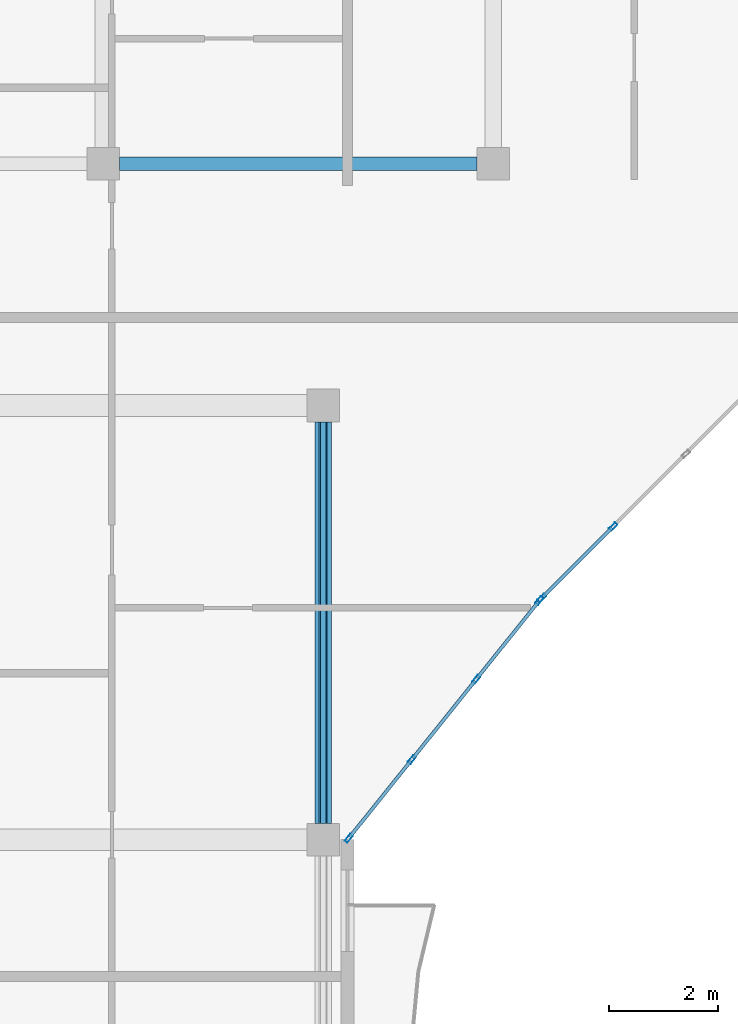
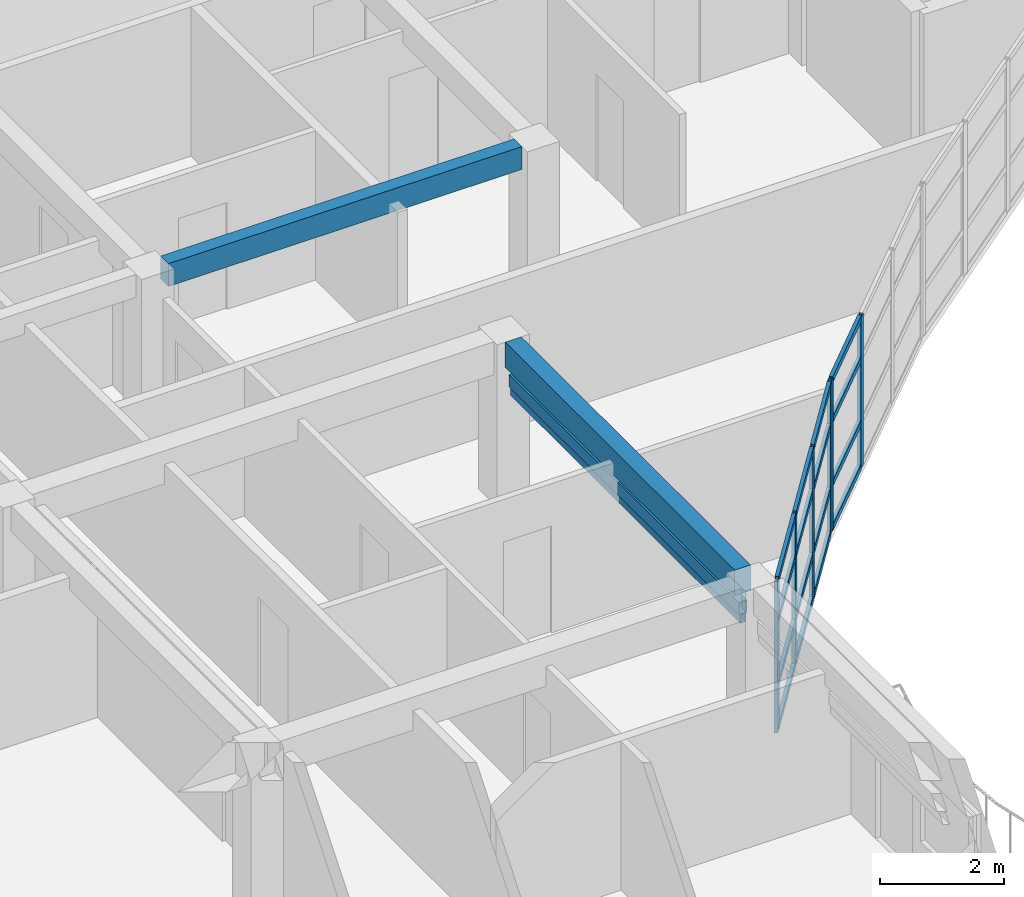
# One storey, part 15 of 72: 24 members, 2 beams, 2 elements without a shape of their own.
"""IFC4 building model written with IfcOpenShell, lengths in metres."""

from ifc_helpers import new_model, si_unit, direction, frame, origin, origin_2d, place, context, subcontext, project, spatial, rectangle, hollow_rectangle, extrude, material, layer, layer_set, material_profile, profile_set, type_object, element, aggregate, save


model = new_model("IFC4")

# Units and contexts
model_context = context("Model", 3, precision=1e-05, world=origin(), true_north=direction((0.0, 1.0)))
body_context = subcontext(model_context, "Body", "Model", "MODEL_VIEW")
ifc_project = project(units=[si_unit("LENGTHUNIT", "METRE"), si_unit("AREAUNIT", "SQUARE_METRE"), si_unit("VOLUMEUNIT", "CUBIC_METRE"), si_unit("PLANEANGLEUNIT", "RADIAN"), si_unit("MASSUNIT", "GRAM", prefix="KILO")], contexts=[model_context])

# Site, building, storey
site_placement = place(None, origin())
site = spatial("IfcSite", under=ifc_project, at=site_placement, CompositionType="ELEMENT")
building_placement = place(site_placement, origin())
building = spatial("IfcBuilding", under=site, at=building_placement, Name="Keldmere Railside Commons", CompositionType="ELEMENT")
storey_placement = place(building_placement, frame((0.0, 0.0, 16.9599609375)))
storey = spatial("IfcBuildingStorey", under=building, at=storey_placement, Name="L05", CompositionType="ELEMENT", Elevation=16.9599609375)

# Member
ifc_material_1 = material(Name="Steel F-36 (S355)", Category="steel")
ifc_material_profile_1 = material_profile(ifc_material_1, hollow_rectangle(XDim=0.14990234375, YDim=0.25, WallThickness=0.010009765625, at=origin_2d()), Name="RHS-250x150x10")
ifc_profile_set_1 = profile_set([ifc_material_profile_1], Name="Steel F-36 (S355)")
member_type_1 = type_object("IfcMemberType", Name="Balcony Continuous Planted Trough RHS250x150", PredefinedType="CHORD", material=ifc_profile_set_1)
member_1_placement = place(storey_placement, frame((119.550048828125, 88.300048828125, 2.4150390625), z_axis=(0.0, 1.0, 0.0), x_axis=(-1.0, 0.0, 0.0)))
element("IfcMember", 1, at=member_1_placement, inside=storey, type_object=member_type_1, Name="PLT-1 MEM-BPLT-0647", PredefinedType="CHORD", context=body_context, shape_type="SweptSolid", body=[
    extrude(hollow_rectangle(XDim=0.14990234375, YDim=0.25, WallThickness=0.010009765625, at=origin_2d()), origin(), (0.0, 0.0, 1.0), 7.39990234375),
])

# Beams
ifc_material_2 = material(Name="Architectural Precast Concrete H-35 (C35/45)", Category="concrete")
ifc_material_profile_2 = material_profile(ifc_material_2, rectangle(XDim=0.25, YDim=0.449951171875, at=origin_2d()), Name="RC-250x450")
ifc_profile_set_2 = profile_set([ifc_material_profile_2], Name="Architectural Precast Concrete H-35 (C35/45)")
beam_type_1 = type_object("IfcBeamType", Name="Perimeter Precast Spandrel Beam 250x450", PredefinedType="SPANDREL", material=ifc_profile_set_2)
beam_1_placement = place(storey_placement, frame((115.800048828125, 100.449951171875, 2.97509765625), z_axis=(1.0, 0.0, 0.0), x_axis=(0.0, 1.0, 0.0)))
element("IfcBeam", 2, at=beam_1_placement, inside=storey, type_object=beam_type_1, Name="SPB-1 BM-L05-1735", PredefinedType="SPANDREL", context=body_context, shape_type="SweptSolid", body=[
    extrude(rectangle(XDim=0.25, YDim=0.449951171875, at=origin_2d()), origin(), (0.0, 0.0, 1.0), 6.5830078125),
])
ifc_material_3 = material(Name="Concrete H-30 (C30/37)", Category="concrete")
ifc_material_profile_3 = material_profile(ifc_material_3, rectangle(XDim=0.300048828125, YDim=0.5, at=origin_2d()), Name="RC-300x500")
ifc_profile_set_3 = profile_set([ifc_material_profile_3], Name="Concrete H-30 (C30/37)")
beam_type_2 = type_object("IfcBeamType", Name="Secondary Frame RC Beam 300x500", PredefinedType="BEAM", material=ifc_profile_set_3)
beam_2_placement = place(storey_placement, frame((119.550048828125, 88.300048828125, 2.949951171875), z_axis=(0.0, 1.0, 0.0), x_axis=(-1.0, 0.0, 0.0)))
element("IfcBeam", 3, at=beam_2_placement, inside=storey, type_object=beam_type_2, Name="BG-5 BM-L05-1833", PredefinedType="BEAM", context=body_context, shape_type="SweptSolid", body=[
    extrude(rectangle(XDim=0.300048828125, YDim=0.5, at=origin_2d()), origin(), (0.0, 0.0, 1.0), 7.39990234375),
])

# Member
ifc_material_profile_4 = material_profile(ifc_material_1, hollow_rectangle(XDim=0.10009765625, YDim=0.159912109375, WallThickness=0.008056640625, at=origin_2d()), Name="RHS-160x100x8")
ifc_profile_set_4 = profile_set([ifc_material_profile_4], Name="Steel F-36 (S355)")
member_type_2 = type_object("IfcMemberType", Name="Solar Brise-Soleil Louvre Fin RHS160x100", PredefinedType="STRUT", material=ifc_profile_set_4)
member_2_placement = place(storey_placement, frame((119.550048828125, 88.300048828125, 2.199951171875), z_axis=(0.0, 1.0, 0.0), x_axis=(-1.0, 0.0, 0.0)))
element("IfcMember", 4, at=member_2_placement, inside=storey, type_object=member_type_2, Name="BSF-1 MEM-BSF-0648", PredefinedType="STRUT", context=body_context, shape_type="SweptSolid", body=[
    extrude(hollow_rectangle(XDim=0.10009765625, YDim=0.159912109375, WallThickness=0.008056640625, at=origin_2d()), origin(), (0.0, 0.0, 1.0), 7.39990234375),
])

# Curtain wall, members
ifc_material_4 = material(Name="Thermally Broken Aluminium", Category="aluminium")
ifc_layer_1 = layer(ifc_material_4, 0.159912109375, Name="Court Chord Wintergarden CW 4800x2850")
ifc_layer_set_1 = layer_set([ifc_layer_1], Name="Thermally Broken Aluminium")
curtain_wall_type_1 = type_object("IfcCurtainWallType", Name="Court Chord Wintergarden CW 4800x2850", PredefinedType="NOTDEFINED", material=ifc_layer_set_1)
curtain_wall_1_placement = place(storey_placement, origin())
curtain_wall_1 = element("IfcCurtainWall", 5, at=curtain_wall_1_placement, inside=storey, type_object=curtain_wall_type_1, Name="CW-12 CW-L05-115", PredefinedType="NOTDEFINED")
ifc_material_profile_5 = material_profile(ifc_material_4, hollow_rectangle(XDim=0.06494140625, YDim=0.159912109375, WallThickness=0.00390625, at=origin_2d()), Name="ALU-MULL-65x160")
ifc_profile_set_5 = profile_set([ifc_material_profile_5], Name="Thermally Broken Aluminium")
member_type_3 = type_object("IfcMemberType", Name="Unitised Curtain Wall Mullion 65x160", PredefinedType="MULLION", material=ifc_profile_set_5)
member_3_placement = place(storey_placement, frame((123.53369140625, 92.404541015625, 0.0), z_axis=(0.0, 0.0, 1.0), x_axis=(0.780009172323, -0.625768080915, 0.0)))
member_3 = element("IfcMember", 6, at=member_3_placement, type_object=member_type_3, Name="CW-12 mullion 1", PredefinedType="MULLION", context=body_context, shape_type="SweptSolid", body=[
    extrude(hollow_rectangle(XDim=0.06494140625, YDim=0.159912109375, WallThickness=0.00390625, at=origin_2d()), origin(), (0.0, 0.0, 1.0), 2.97998046875),
])
member_4_placement = place(storey_placement, frame((122.369384765625, 90.953369140625, 0.0), z_axis=(0.0, 0.0, 1.0), x_axis=(0.780009172323, -0.625768080915, 0.0)))
member_4 = element("IfcMember", 7, at=member_4_placement, type_object=member_type_3, Name="CW-12 mullion 2", PredefinedType="MULLION", context=body_context, shape_type="SweptSolid", body=[
    extrude(hollow_rectangle(XDim=0.06494140625, YDim=0.159912109375, WallThickness=0.00390625, at=origin_2d()), origin(), (0.0, 0.0, 1.0), 2.97998046875),
])
member_5_placement = place(storey_placement, frame((121.1845703125, 89.4765625, 0.0), z_axis=(0.0, 0.0, 1.0), x_axis=(0.780009172323, -0.625768080915, 0.0)))
member_5 = element("IfcMember", 8, at=member_5_placement, type_object=member_type_3, Name="CW-12 mullion 3", PredefinedType="MULLION", context=body_context, shape_type="SweptSolid", body=[
    extrude(hollow_rectangle(XDim=0.06494140625, YDim=0.159912109375, WallThickness=0.00390625, at=origin_2d()), origin(), (0.0, 0.0, 1.0), 2.97998046875),
])
member_6_placement = place(storey_placement, frame((120.020263671875, 88.025390625, 0.0), z_axis=(0.0, 0.0, 1.0), x_axis=(0.780009172323, -0.625768080915, 0.0)))
member_6 = element("IfcMember", 9, at=member_6_placement, type_object=member_type_3, Name="CW-12 mullion 4", PredefinedType="MULLION", context=body_context, shape_type="SweptSolid", body=[
    extrude(hollow_rectangle(XDim=0.06494140625, YDim=0.159912109375, WallThickness=0.00390625, at=origin_2d()), origin(), (0.0, 0.0, 1.0), 2.97998046875),
])

ifc_layer_2 = layer(ifc_material_4, 0.159912109375, Name="Court Chord Wintergarden CW 5400x2850")
ifc_layer_set_2 = layer_set([ifc_layer_2], Name="Thermally Broken Aluminium")
curtain_wall_type_2 = type_object("IfcCurtainWallType", Name="Court Chord Wintergarden CW 5400x2850", PredefinedType="NOTDEFINED", material=ifc_layer_set_2)
curtain_wall_2_placement = place(storey_placement, origin())
curtain_wall_2 = element("IfcCurtainWall", 10, at=curtain_wall_2_placement, inside=storey, type_object=curtain_wall_type_2, Name="CW-13 CW-L05-116", PredefinedType="NOTDEFINED")
member_7_placement = place(storey_placement, frame((124.892578125, 93.7685546875, 0.0), z_axis=(0.0, 0.0, 1.0), x_axis=(0.707106781187, -0.707106781187, 0.0)))
member_7 = element("IfcMember", 11, at=member_7_placement, type_object=member_type_3, Name="CW-13 mullion 3", PredefinedType="MULLION", context=body_context, shape_type="SweptSolid", body=[
    extrude(hollow_rectangle(XDim=0.06494140625, YDim=0.159912109375, WallThickness=0.00390625, at=origin_2d()), origin(), (0.0, 0.0, 1.0), 2.97998046875),
])
member_8_placement = place(storey_placement, frame((123.576904296875, 92.452880859375, 0.0), z_axis=(0.0, 0.0, 1.0), x_axis=(0.707106781187, -0.707106781187, 0.0)))
member_8 = element("IfcMember", 12, at=member_8_placement, type_object=member_type_3, Name="CW-13 mullion 4", PredefinedType="MULLION", context=body_context, shape_type="SweptSolid", body=[
    extrude(hollow_rectangle(XDim=0.06494140625, YDim=0.159912109375, WallThickness=0.00390625, at=origin_2d()), origin(), (0.0, 0.0, 1.0), 2.97998046875),
])

# Member
ifc_material_profile_6 = material_profile(ifc_material_4, hollow_rectangle(XDim=0.06494140625, YDim=0.1201171875, WallThickness=0.00390625, at=origin_2d()), Name="ALU-TRAN-65x120")
ifc_profile_set_6 = profile_set([ifc_material_profile_6], Name="Thermally Broken Aluminium")
member_type_4 = type_object("IfcMemberType", Name="Unitised Curtain Wall Transom 65x120", PredefinedType="USERDEFINED", material=ifc_profile_set_6)
member_9_placement = place(storey_placement, frame((123.513427734375, 92.37939453125, 0.032470703125), z_axis=(-0.625805275091, -0.779979331565, 0.0), x_axis=(0.779979331565, -0.625805275091, 0.0)))
member_9 = element("IfcMember", 13, at=member_9_placement, type_object=member_type_4, Name="CW-12 transom 1.1", ObjectType="TRANSOM", PredefinedType="USERDEFINED", context=body_context, shape_type="SweptSolid", body=[
    extrude(hollow_rectangle(XDim=0.06494140625, YDim=0.1201171875, WallThickness=0.00390625, at=origin_2d()), origin(), (0.0, 0.0, 1.0), 1.795654296875),
])

member_10_placement = place(storey_placement, frame((123.513427734375, 92.37939453125, 0.900146484375), z_axis=(-0.625805275091, -0.779979331565, 0.0), x_axis=(0.779979331565, -0.625805275091, 0.0)))
member_10 = element("IfcMember", 14, at=member_10_placement, type_object=member_type_4, Name="CW-12 transom 1.2", ObjectType="TRANSOM", PredefinedType="USERDEFINED", context=body_context, shape_type="SweptSolid", body=[
    extrude(hollow_rectangle(XDim=0.06494140625, YDim=0.1201171875, WallThickness=0.00390625, at=origin_2d()), origin(), (0.0, 0.0, 1.0), 1.795654296875),
])

member_11_placement = place(storey_placement, frame((123.513427734375, 92.37939453125, 2.150146484375), z_axis=(-0.625805275091, -0.779979331565, 0.0), x_axis=(0.779979331565, -0.625805275091, 0.0)))
member_11 = element("IfcMember", 15, at=member_11_placement, type_object=member_type_4, Name="CW-12 transom 1.3", ObjectType="TRANSOM", PredefinedType="USERDEFINED", context=body_context, shape_type="SweptSolid", body=[
    extrude(hollow_rectangle(XDim=0.06494140625, YDim=0.1201171875, WallThickness=0.00390625, at=origin_2d()), origin(), (0.0, 0.0, 1.0), 1.795654296875),
])

member_12_placement = place(storey_placement, frame((123.513427734375, 92.37939453125, 2.947509765625), z_axis=(-0.625805275091, -0.779979331565, 0.0), x_axis=(0.779979331565, -0.625805275091, 0.0)))
member_12 = element("IfcMember", 16, at=member_12_placement, type_object=member_type_4, Name="CW-12 transom 1.4", ObjectType="TRANSOM", PredefinedType="USERDEFINED", context=body_context, shape_type="SweptSolid", body=[
    extrude(hollow_rectangle(XDim=0.06494140625, YDim=0.1201171875, WallThickness=0.00390625, at=origin_2d()), origin(), (0.0, 0.0, 1.0), 1.795654296875),
])

member_13_placement = place(storey_placement, frame((122.348876953125, 90.927978515625, 0.032470703125), z_axis=(-0.625688033635, -0.78007338409, 0.0), x_axis=(0.78007338409, -0.625688033635, 0.0)))
member_13 = element("IfcMember", 17, at=member_13_placement, type_object=member_type_4, Name="CW-12 transom 2.1", ObjectType="TRANSOM", PredefinedType="USERDEFINED", context=body_context, shape_type="SweptSolid", body=[
    extrude(hollow_rectangle(XDim=0.06494140625, YDim=0.1201171875, WallThickness=0.00390625, at=origin_2d()), origin(), (0.0, 0.0, 1.0), 1.828125),
])

member_14_placement = place(storey_placement, frame((122.348876953125, 90.927978515625, 0.900146484375), z_axis=(-0.625688033635, -0.78007338409, 0.0), x_axis=(0.78007338409, -0.625688033635, 0.0)))
member_14 = element("IfcMember", 18, at=member_14_placement, type_object=member_type_4, Name="CW-12 transom 2.2", ObjectType="TRANSOM", PredefinedType="USERDEFINED", context=body_context, shape_type="SweptSolid", body=[
    extrude(hollow_rectangle(XDim=0.06494140625, YDim=0.1201171875, WallThickness=0.00390625, at=origin_2d()), origin(), (0.0, 0.0, 1.0), 1.828125),
])

member_15_placement = place(storey_placement, frame((122.348876953125, 90.927978515625, 2.150146484375), z_axis=(-0.625688033635, -0.78007338409, 0.0), x_axis=(0.78007338409, -0.625688033635, 0.0)))
member_15 = element("IfcMember", 19, at=member_15_placement, type_object=member_type_4, Name="CW-12 transom 2.3", ObjectType="TRANSOM", PredefinedType="USERDEFINED", context=body_context, shape_type="SweptSolid", body=[
    extrude(hollow_rectangle(XDim=0.06494140625, YDim=0.1201171875, WallThickness=0.00390625, at=origin_2d()), origin(), (0.0, 0.0, 1.0), 1.828125),
])

member_16_placement = place(storey_placement, frame((122.348876953125, 90.927978515625, 2.947509765625), z_axis=(-0.625688033635, -0.78007338409, 0.0), x_axis=(0.78007338409, -0.625688033635, 0.0)))
member_16 = element("IfcMember", 20, at=member_16_placement, type_object=member_type_4, Name="CW-12 transom 2.4", ObjectType="TRANSOM", PredefinedType="USERDEFINED", context=body_context, shape_type="SweptSolid", body=[
    extrude(hollow_rectangle(XDim=0.06494140625, YDim=0.1201171875, WallThickness=0.00390625, at=origin_2d()), origin(), (0.0, 0.0, 1.0), 1.828125),
])

member_17_placement = place(storey_placement, frame((121.164306640625, 89.451416015625, 0.032470703125), z_axis=(-0.625722553313, -0.780045694992, 0.0), x_axis=(0.780045694992, -0.625722553313, 0.0)))
member_17 = element("IfcMember", 21, at=member_17_placement, type_object=member_type_4, Name="CW-12 transom 3.1", ObjectType="TRANSOM", PredefinedType="USERDEFINED", context=body_context, shape_type="SweptSolid", body=[
    extrude(hollow_rectangle(XDim=0.06494140625, YDim=0.1201171875, WallThickness=0.00390625, at=origin_2d()), origin(), (0.0, 0.0, 1.0), 1.795654296875),
])

member_18_placement = place(storey_placement, frame((121.164306640625, 89.451416015625, 0.900146484375), z_axis=(-0.625722553313, -0.780045694992, 0.0), x_axis=(0.780045694992, -0.625722553313, 0.0)))
member_18 = element("IfcMember", 22, at=member_18_placement, type_object=member_type_4, Name="CW-12 transom 3.2", ObjectType="TRANSOM", PredefinedType="USERDEFINED", context=body_context, shape_type="SweptSolid", body=[
    extrude(hollow_rectangle(XDim=0.06494140625, YDim=0.1201171875, WallThickness=0.00390625, at=origin_2d()), origin(), (0.0, 0.0, 1.0), 1.795654296875),
])

member_19_placement = place(storey_placement, frame((121.164306640625, 89.451416015625, 2.150146484375), z_axis=(-0.625722553313, -0.780045694992, 0.0), x_axis=(0.780045694992, -0.625722553313, 0.0)))
member_19 = element("IfcMember", 23, at=member_19_placement, type_object=member_type_4, Name="CW-12 transom 3.3", ObjectType="TRANSOM", PredefinedType="USERDEFINED", context=body_context, shape_type="SweptSolid", body=[
    extrude(hollow_rectangle(XDim=0.06494140625, YDim=0.1201171875, WallThickness=0.00390625, at=origin_2d()), origin(), (0.0, 0.0, 1.0), 1.795654296875),
])

member_20_placement = place(storey_placement, frame((121.164306640625, 89.451416015625, 2.947509765625), z_axis=(-0.625722553313, -0.780045694992, 0.0), x_axis=(0.780045694992, -0.625722553313, 0.0)))
member_20 = element("IfcMember", 24, at=member_20_placement, type_object=member_type_4, Name="CW-12 transom 3.4", ObjectType="TRANSOM", PredefinedType="USERDEFINED", context=body_context, shape_type="SweptSolid", body=[
    extrude(hollow_rectangle(XDim=0.06494140625, YDim=0.1201171875, WallThickness=0.00390625, at=origin_2d()), origin(), (0.0, 0.0, 1.0), 1.795654296875),
])

aggregate(curtain_wall_1, [member_3, member_4, member_5, member_6, member_9, member_10, member_11, member_12, member_13, member_14, member_15, member_16, member_17, member_18, member_19, member_20])

member_21_placement = place(storey_placement, frame((124.86962890625, 93.74560546875, 0.032470703125), z_axis=(-0.707174762418, -0.707038793419, 0.0), x_axis=(0.707038793419, -0.707174762418, 0.0)))
member_21 = element("IfcMember", 25, at=member_21_placement, type_object=member_type_4, Name="CW-13 transom 3.1", ObjectType="TRANSOM", PredefinedType="USERDEFINED", context=body_context, shape_type="SweptSolid", body=[
    extrude(hollow_rectangle(XDim=0.06494140625, YDim=0.1201171875, WallThickness=0.00390625, at=origin_2d()), origin(), (0.0, 0.0, 1.0), 1.795654296875),
])

member_22_placement = place(storey_placement, frame((124.86962890625, 93.74560546875, 0.900146484375), z_axis=(-0.707174762418, -0.707038793419, 0.0), x_axis=(0.707038793419, -0.707174762418, 0.0)))
member_22 = element("IfcMember", 26, at=member_22_placement, type_object=member_type_4, Name="CW-13 transom 3.2", ObjectType="TRANSOM", PredefinedType="USERDEFINED", context=body_context, shape_type="SweptSolid", body=[
    extrude(hollow_rectangle(XDim=0.06494140625, YDim=0.1201171875, WallThickness=0.00390625, at=origin_2d()), origin(), (0.0, 0.0, 1.0), 1.795654296875),
])

member_23_placement = place(storey_placement, frame((124.86962890625, 93.74560546875, 2.150146484375), z_axis=(-0.707174762418, -0.707038793419, 0.0), x_axis=(0.707038793419, -0.707174762418, 0.0)))
member_23 = element("IfcMember", 27, at=member_23_placement, type_object=member_type_4, Name="CW-13 transom 3.3", ObjectType="TRANSOM", PredefinedType="USERDEFINED", context=body_context, shape_type="SweptSolid", body=[
    extrude(hollow_rectangle(XDim=0.06494140625, YDim=0.1201171875, WallThickness=0.00390625, at=origin_2d()), origin(), (0.0, 0.0, 1.0), 1.795654296875),
])

member_24_placement = place(storey_placement, frame((124.86962890625, 93.74560546875, 2.947509765625), z_axis=(-0.707174762418, -0.707038793419, 0.0), x_axis=(0.707038793419, -0.707174762418, 0.0)))
member_24 = element("IfcMember", 28, at=member_24_placement, type_object=member_type_4, Name="CW-13 transom 3.4", ObjectType="TRANSOM", PredefinedType="USERDEFINED", context=body_context, shape_type="SweptSolid", body=[
    extrude(hollow_rectangle(XDim=0.06494140625, YDim=0.1201171875, WallThickness=0.00390625, at=origin_2d()), origin(), (0.0, 0.0, 1.0), 1.795654296875),
])

aggregate(curtain_wall_2, [member_7, member_8, member_21, member_22, member_23, member_24])

save(model, "model.ifc")
